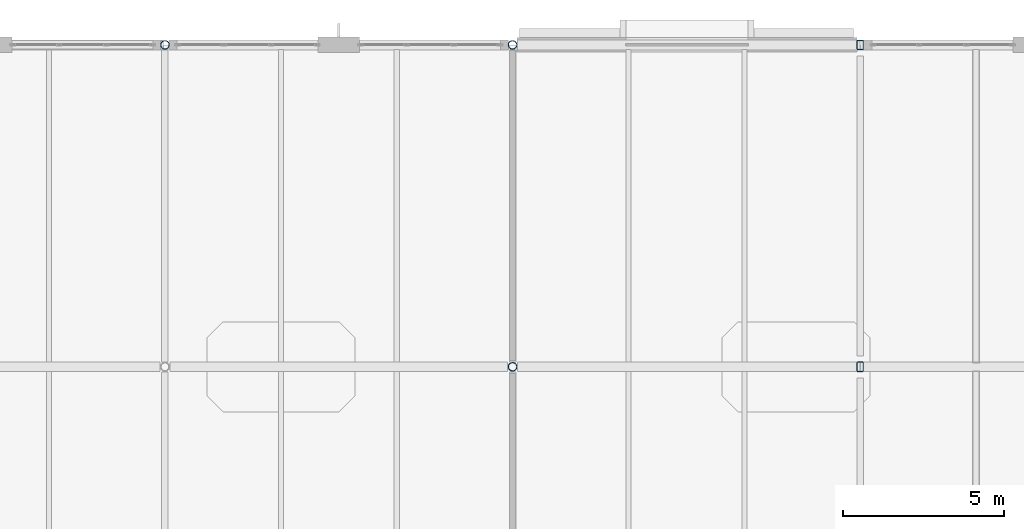
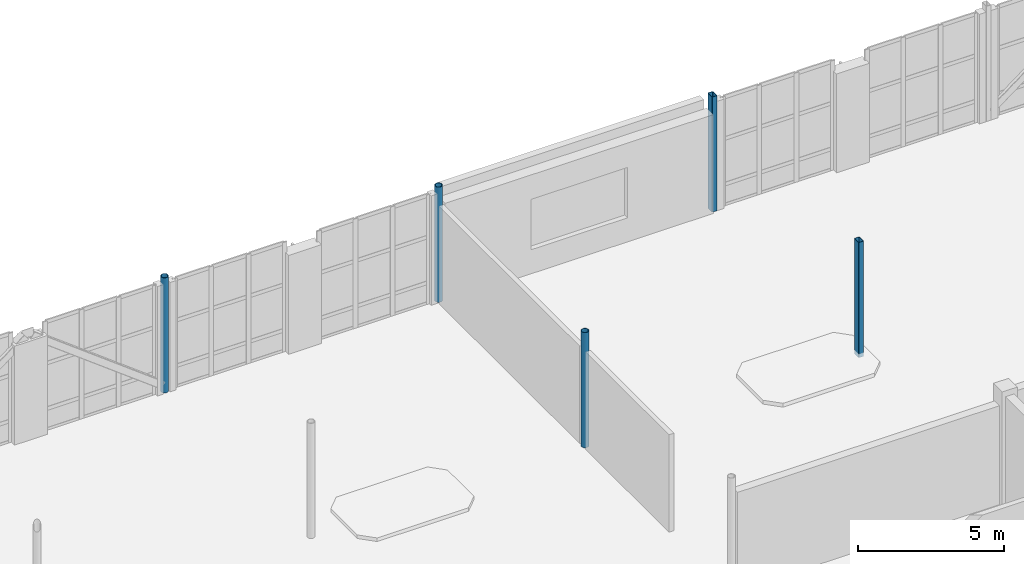
# One storey, part 9 of 100: 5 columns.
"""IFC4 building model written with IfcOpenShell, lengths in metres."""

from ifc_helpers import new_model, si_unit, direction, frame, origin, origin_2d, place, context, subcontext, project, spatial, hollow_rectangle, hollow_circle, extrude, material, material_profile, profile_set, type_object, element, save


model = new_model("IFC4")

# Units and contexts
model_context = context("Model", 3, precision=1e-05, world=origin(), true_north=direction((0.0, 1.0)))
body_context = subcontext(model_context, "Body", "Model", "MODEL_VIEW")
ifc_project = project(units=[si_unit("LENGTHUNIT", "METRE"), si_unit("AREAUNIT", "SQUARE_METRE"), si_unit("VOLUMEUNIT", "CUBIC_METRE"), si_unit("PLANEANGLEUNIT", "RADIAN"), si_unit("MASSUNIT", "GRAM", prefix="KILO")], contexts=[model_context])

# Site, building, storey
site_placement = place(None, origin())
site = spatial("IfcSite", under=ifc_project, at=site_placement, CompositionType="ELEMENT")
building_placement = place(site_placement, origin())
building = spatial("IfcBuilding", under=site, at=building_placement, Name="Tasgan Crest Museum", CompositionType="ELEMENT")
storey_placement = place(building_placement, frame((0.0, 0.0, 9.60009765625)))
storey = spatial("IfcBuildingStorey", under=building, at=storey_placement, Name="L02", CompositionType="ELEMENT", Elevation=9.60009765625)

# Columns
ifc_material_1 = material(Name="Steel S355J2", Category="steel")
ifc_material_profile_1 = material_profile(ifc_material_1, hollow_circle(Radius=0.136474609375, WallThickness=0.012451171875, at=origin_2d()), Name="CHS 273x12.5")
ifc_profile_set_1 = profile_set([ifc_material_profile_1], Name="Steel S355J2")
column_type_1 = type_object("IfcColumnType", Name="COL-CHS273", PredefinedType="COLUMN", material=ifc_profile_set_1)
for number, where, z_axis, x_axis, name in (
    (1, (32.39990234375, 112.0, 0.0), (0.0, 0.0, 1.0), (1.0, 0.0, 0.0), "Column 4/M L02"),
    (2, (43.199951171875, 102.0, 0.0), (0.0, 0.0, 1.0), (1.0, 0.0, 0.0), "Column 5/L L02"),
    (3, (43.199951171875, 112.0, 0.0), (0.0, 0.0, 1.0), (1.0, 0.0, 0.0), "Column 5/M L02"),
):
    element("IfcColumn", number, at=place(storey_placement, frame(where, z_axis=z_axis, x_axis=x_axis)), inside=storey, type_object=column_type_1, Name=name, PredefinedType="COLUMN", context=body_context, shape_type="SweptSolid", body=[
        extrude(hollow_circle(Radius=0.136474609375, WallThickness=0.012451171875, at=origin_2d()), origin(), (0.0, 0.0, 1.0), 4.7998046875),
    ])
ifc_material_2 = material(Name="Steel S355K2", Category="steel")
ifc_material_profile_2 = material_profile(ifc_material_2, hollow_rectangle(XDim=0.199951171875, YDim=0.300048828125, WallThickness=0.012451171875, InnerFilletRadius=0.012451171875, OuterFilletRadius=0.02490234375, at=origin_2d()), Name="RHS 300x200x12.5")
ifc_profile_set_2 = profile_set([ifc_material_profile_2], Name="Steel S355K2")
column_type_2 = type_object("IfcColumnType", Name="COL-RHS300", PredefinedType="COLUMN", material=ifc_profile_set_2)
for number, where, z_axis, x_axis, name in (
    (4, (54.0, 102.0, 0.0), (0.0, 0.0, 1.0), (1.0, 0.0, 0.0), "Column 6/L L02"),
    (5, (54.0, 112.0, 0.0), (0.0, 0.0, 1.0), (1.0, 0.0, 0.0), "Column 6/M L02"),
):
    element("IfcColumn", number, at=place(storey_placement, frame(where, z_axis=z_axis, x_axis=x_axis)), inside=storey, type_object=column_type_2, Name=name, PredefinedType="COLUMN", context=body_context, shape_type="SweptSolid", body=[
        extrude(hollow_rectangle(XDim=0.199951171875, YDim=0.300048828125, WallThickness=0.012451171875, InnerFilletRadius=0.012451171875, OuterFilletRadius=0.02490234375, at=origin_2d()), origin(), (0.0, 0.0, 1.0), 4.7998046875),
    ])

save(model, "model.ifc")
